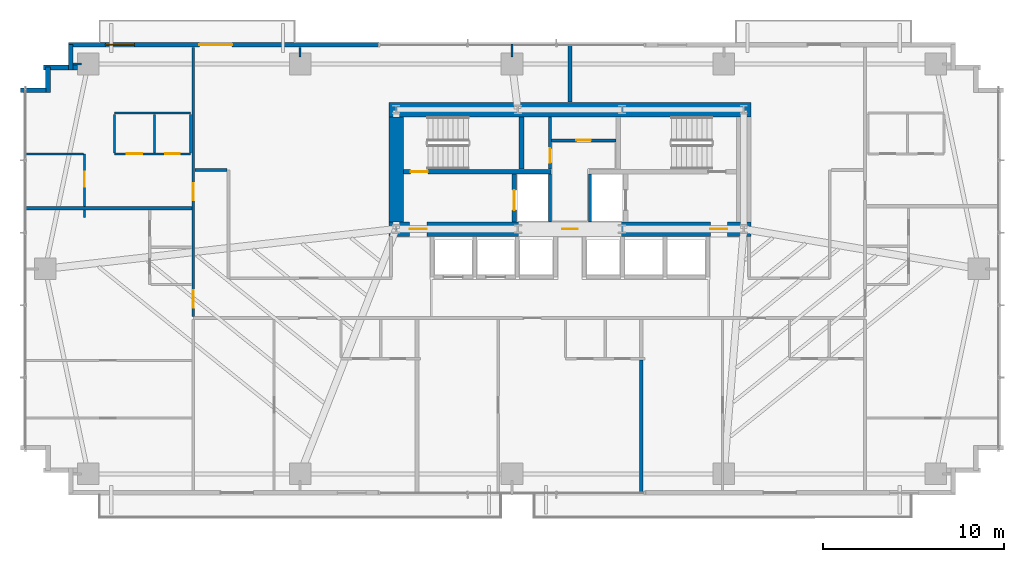
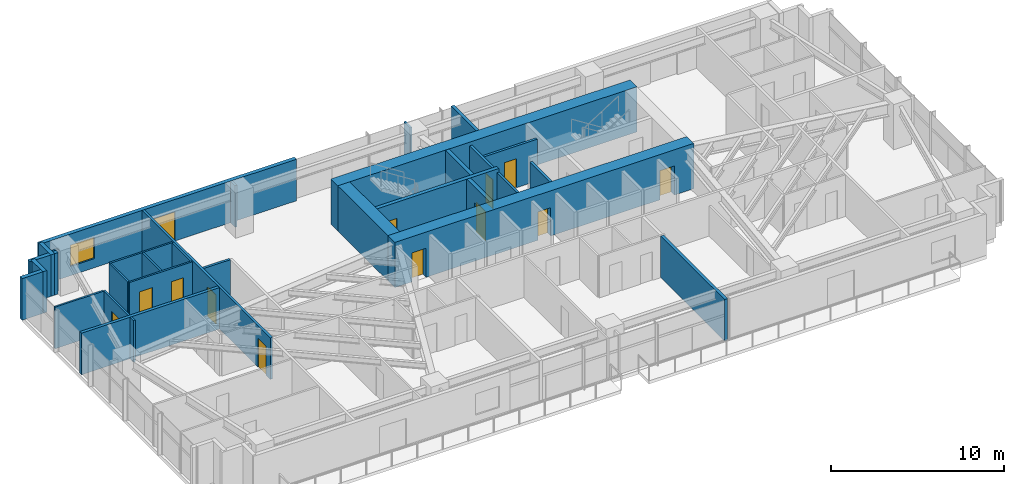
# One storey, part 20 of 25: 31 walls, 13 doors, 1 window, 14 openings.
"""IFC4 building model written with IfcOpenShell, lengths in metres."""

from ifc_helpers import new_model, si_unit, direction, frame, frame_2d, origin, place, context, subcontext, project, spatial, rectangle, extrude, source, transform, mapped, material, layer, layer_set, type_object, type_shapes, element, fill, save


model = new_model("IFC4")

# Units and contexts
model_context = context("Model", 3, precision=1e-05, world=origin(), true_north=direction((0.0, 1.0)))
body_context = subcontext(model_context, "Body", "Model", "MODEL_VIEW")
ifc_project = project(units=[si_unit("LENGTHUNIT", "METRE"), si_unit("AREAUNIT", "SQUARE_METRE"), si_unit("VOLUMEUNIT", "CUBIC_METRE"), si_unit("PLANEANGLEUNIT", "RADIAN"), si_unit("MASSUNIT", "GRAM", prefix="KILO")], contexts=[model_context])

# Site, building, storey
site_placement = place(None, origin())
site = spatial("IfcSite", under=ifc_project, at=site_placement, CompositionType="ELEMENT")
building_placement = place(site_placement, origin())
building = spatial("IfcBuilding", under=site, at=building_placement, Name="Astriad Promenade Condominiums", CompositionType="ELEMENT")
storey_placement = place(building_placement, frame((0.0, 0.0, 61.39990234375)))
storey = spatial("IfcBuildingStorey", under=building, at=storey_placement, Name="L17", CompositionType="ELEMENT", Elevation=61.39990234375)

# Wall, openings, doors
ifc_material_1 = material(Name="Concrete C80/95", Category="concrete")
ifc_layer_1 = layer(ifc_material_1, 0.800048828125)
ifc_layer_set_1 = layer_set([ifc_layer_1], Name="Concrete C80/95")
wall_type_1 = type_object("IfcWallType", Name="CW-SHEAR-800", PredefinedType="SHEAR", material=ifc_layer_set_1)
wall_1_placement = place(storey_placement, frame((26.0, 17.39990234375, 0.0), z_axis=(0.0, 0.0, 1.0), x_axis=(1.0, 0.0, 0.0)))
wall_1 = element("IfcWall", 1, at=wall_1_placement, inside=storey, type_object=wall_type_1, Name="CW-CORE-S-L17", PredefinedType="SHEAR", context=body_context, shape_type="SweptSolid", body=[
    extrude(rectangle(XDim=20.0, YDim=0.800048828125, at=frame_2d((10.0, 0.0))), origin(), (0.0, 0.0, 1.0), 3.2001953125),
])
opening_1_placement = place(wall_1_placement, frame((1.14990234375, 0.0, 0.0)))
opening_1 = element("IfcOpeningElement", 2, at=opening_1_placement, cuts=wall_1, Name="Opening FD90-ST-095", PredefinedType="OPENING", context=body_context, shape_type="SweptSolid", body=[
    extrude(rectangle(XDim=0.949951171875, YDim=2.06005859375, at=frame_2d((0.47509765625, 1.030029296875))), frame((0.0, 0.409912109375, 0.0), z_axis=(0.0, -1.0, 0.0), x_axis=(1.0, 0.0, 0.0)), (0.0, 0.0, 1.0), 0.820068359375),
])
opening_2_placement = place(wall_1_placement, frame((9.580078125, 0.0, 0.0)))
opening_2 = element("IfcOpeningElement", 3, at=opening_2_placement, cuts=wall_1, Name="Opening FD60-ULOW-085", PredefinedType="OPENING", context=body_context, shape_type="SweptSolid", body=[
    extrude(rectangle(XDim=0.85009765625, YDim=2.0, at=frame_2d((0.425048828125, 1.0))), frame((0.0, 0.409912109375, 0.0), z_axis=(0.0, -1.0, 0.0), x_axis=(1.0, 0.0, 0.0)), (0.0, 0.0, 1.0), 0.820068359375),
])
opening_3_placement = place(wall_1_placement, frame((17.75, 0.0, 0.0)))
opening_3 = element("IfcOpeningElement", 4, at=opening_3_placement, cuts=wall_1, Name="Opening FD90-ST-095", PredefinedType="OPENING", context=body_context, shape_type="SweptSolid", body=[
    extrude(rectangle(XDim=0.949951171875, YDim=2.06005859375, at=frame_2d((0.47509765625, 1.030029296875))), frame((0.0, 0.409912109375, 0.0), z_axis=(0.0, -1.0, 0.0), x_axis=(1.0, 0.0, 0.0)), (0.0, 0.0, 1.0), 0.820068359375),
])
ifc_material_2 = material(Name="Fire-Rated Hollow Metal Stair Door")
door_type_1 = type_object("IfcDoorType", Name="FD90-ST-095", OperationType="NOTDEFINED", PredefinedType="DOOR", material=ifc_material_2)
shared_shape_1 = source(origin(), body_context, "Body", "SweptSolid", [
    extrude(rectangle(XDim=0.949951171875, YDim=2.06005859375, at=frame_2d((0.47509765625, 1.030029296875))), frame((0.0, 0.02490234375, 0.0), z_axis=(0.0, -1.0, 0.0), x_axis=(1.0, 0.0, 0.0)), (0.0, 0.0, 1.0), 0.050048828125),
])
type_shapes(door_type_1, [shared_shape_1])
door_1_placement = place(opening_1_placement, origin())
door_1 = element("IfcDoor", 5, at=door_1_placement, inside=storey, type_object=door_type_1, Name="D-FFW-L17", OperationType="SINGLE_SWING_LEFT", OverallHeight=2.06005859375, OverallWidth=0.949951171875, PredefinedType="DOOR", context=body_context, shape_type="MappedRepresentation", body=[
    mapped(shared_shape_1, transform((0.0, 0.0, 0.0), scale=1.0)),
])
fill(opening_1, door_1)
door_2_placement = place(opening_3_placement, origin())
door_2 = element("IfcDoor", 6, at=door_2_placement, inside=storey, type_object=door_type_1, Name="D-FFE-L17", OperationType="SINGLE_SWING_RIGHT", OverallHeight=2.06005859375, OverallWidth=0.949951171875, PredefinedType="DOOR", context=body_context, shape_type="MappedRepresentation", body=[
    mapped(shared_shape_1, transform((0.0, 0.0, 0.0), scale=1.0)),
])
fill(opening_3, door_2)
ifc_material_3 = material(Name="Solid-Core Low-Headroom Fire Door")
door_type_2 = type_object("IfcDoorType", Name="FD60-ULOW-085", OperationType="NOTDEFINED", PredefinedType="DOOR", material=ifc_material_3)
shared_shape_2 = source(origin(), body_context, "Body", "SweptSolid", [
    extrude(rectangle(XDim=0.85009765625, YDim=2.0, at=frame_2d((0.425048828125, 1.0))), frame((0.0, 0.02490234375, 0.0), z_axis=(0.0, -1.0, 0.0), x_axis=(1.0, 0.0, 0.0)), (0.0, 0.0, 1.0), 0.050048828125),
])
type_shapes(door_type_2, [shared_shape_2])
door_3_placement = place(opening_2_placement, origin())
door_3 = element("IfcDoor", 7, at=door_3_placement, inside=storey, type_object=door_type_2, Name="D-CSL-L17", OperationType="SINGLE_SWING_RIGHT", OverallHeight=2.0, OverallWidth=0.85009765625, PredefinedType="DOOR", context=body_context, shape_type="MappedRepresentation", body=[
    mapped(shared_shape_2, transform((0.0, 0.0, 0.0), scale=1.0)),
])
fill(opening_2, door_3)

# Walls
wall_2_placement = place(storey_placement, frame((26.0, 24.0, 0.0), z_axis=(0.0, 0.0, 1.0), x_axis=(1.0, 0.0, 0.0)))
element("IfcWall", 8, at=wall_2_placement, inside=storey, type_object=wall_type_1, Name="CW-CORE-N-L17", PredefinedType="SHEAR", context=body_context, shape_type="SweptSolid", body=[
    extrude(rectangle(XDim=20.0, YDim=0.800048828125, at=frame_2d((10.0, 0.0))), origin(), (0.0, 0.0, 1.0), 3.2001953125),
])
wall_3_placement = place(storey_placement, frame((26.39990234375, 17.802001953125, 0.0), z_axis=(0.0, 0.0, 1.0), x_axis=(0.0, 1.0, 0.0)))
element("IfcWall", 9, at=wall_3_placement, inside=storey, type_object=wall_type_1, Name="CW-CORE-W-L17", PredefinedType="SHEAR", context=body_context, shape_type="SweptSolid", body=[
    extrude(rectangle(XDim=5.7958984375, YDim=0.800048828125, at=frame_2d((2.89794921875, 0.0))), origin(), (0.0, 0.0, 1.0), 3.2001953125),
])

# Wall, opening, door
ifc_material_4 = material(Name="Concrete C50/60", Category="concrete")
ifc_layer_2 = layer(ifc_material_4, 0.25)
ifc_layer_set_2 = layer_set([ifc_layer_2], Name="Concrete C50/60")
wall_type_2 = type_object("IfcWallType", Name="WALL-CORE-INT-250", PredefinedType="SOLIDWALL", material=ifc_layer_set_2)
wall_4_placement = place(storey_placement, frame((26.802001953125, 20.574951171875, 0.0), z_axis=(0.0, 0.0, 1.0), x_axis=(1.0, 0.0, 0.0)))
wall_4 = element("IfcWall", 10, at=wall_4_placement, inside=storey, type_object=wall_type_2, Name="CW-INT-H1-L17", PredefinedType="SOLIDWALL", context=body_context, shape_type="SweptSolid", body=[
    extrude(rectangle(XDim=8.14794921875, YDim=0.25, at=frame_2d((4.073974609375, 0.0))), origin(), (0.0, 0.0, 1.0), 3.2001953125),
])
opening_4_placement = place(wall_4_placement, frame((0.39794921875, 0.0, 0.0)))
opening_4 = element("IfcOpeningElement", 11, at=opening_4_placement, cuts=wall_4, Name="Opening FD90-ST-095", PredefinedType="OPENING", context=body_context, shape_type="SweptSolid", body=[
    extrude(rectangle(XDim=0.949951171875, YDim=2.06005859375, at=frame_2d((0.47509765625, 1.030029296875))), frame((0.0, 0.135009765625, 0.0), z_axis=(0.0, -1.0, 0.0), x_axis=(1.0, 0.0, 0.0)), (0.0, 0.0, 1.0), 0.27001953125),
])
door_4_placement = place(opening_4_placement, origin())
door_4 = element("IfcDoor", 12, at=door_4_placement, inside=storey, type_object=door_type_1, Name="D-ST1-L17", OperationType="SINGLE_SWING_RIGHT", OverallHeight=2.06005859375, OverallWidth=0.949951171875, PredefinedType="DOOR", context=body_context, shape_type="MappedRepresentation", body=[
    mapped(shared_shape_1, transform((0.0, 0.0, 0.0), scale=1.0)),
])
fill(opening_4, door_4)

# Wall
wall_5_placement = place(storey_placement, frame((33.324951171875, 20.701904296875, 0.0), z_axis=(0.0, 0.0, 1.0), x_axis=(0.0, 1.0, 0.0)))
element("IfcWall", 13, at=wall_5_placement, inside=storey, type_object=wall_type_2, Name="CW-ST1-E-L17", PredefinedType="SOLIDWALL", context=body_context, shape_type="SweptSolid", body=[
    extrude(rectangle(XDim=2.89599609375, YDim=0.25, at=frame_2d((1.447998046875, 0.0))), origin(), (0.0, 0.0, 1.0), 3.2001953125),
])

# Wall, opening, door
wall_6_placement = place(storey_placement, frame((32.925048828125, 17.802001953125, 0.0), z_axis=(0.0, 0.0, 1.0), x_axis=(0.0, 1.0, 0.0)))
wall_6 = element("IfcWall", 14, at=wall_6_placement, inside=storey, type_object=wall_type_2, Name="CW-FFL1-W-L17", PredefinedType="SOLIDWALL", context=body_context, shape_type="SweptSolid", body=[
    extrude(rectangle(XDim=2.64599609375, YDim=0.25, at=frame_2d((1.322998046875, 0.0))), origin(), (0.0, 0.0, 1.0), 3.2001953125),
])
opening_5_placement = place(wall_6_placement, frame((0.64794921875, 0.0, 0.0)))
opening_5 = element("IfcOpeningElement", 15, at=opening_5_placement, cuts=wall_6, Name="Opening LD-FFL-1122", PredefinedType="OPENING", context=body_context, shape_type="SweptSolid", body=[
    extrude(rectangle(XDim=1.10009765625, YDim=2.080078125, at=frame_2d((0.550048828125, 1.0400390625))), frame((0.0, 0.135009765625, 0.0), z_axis=(0.0, -1.0, 0.0), x_axis=(1.0, 0.0, 0.0)), (0.0, 0.0, 1.0), 0.27001953125),
])
ifc_material_5 = material(Name="Brushed Stainless Steel Fire Elevator Landing Door", Category="steel")
door_type_3 = type_object("IfcDoorType", Name="LD-FFL-1122", OperationType="NOTDEFINED", PredefinedType="DOOR", material=ifc_material_5)
shared_shape_3 = source(origin(), body_context, "Body", "SweptSolid", [
    extrude(rectangle(XDim=1.10009765625, YDim=2.080078125, at=frame_2d((0.550048828125, 1.0400390625))), frame((0.0, 0.02490234375, 0.0), z_axis=(0.0, -1.0, 0.0), x_axis=(1.0, 0.0, 0.0)), (0.0, 0.0, 1.0), 0.050048828125),
])
type_shapes(door_type_3, [shared_shape_3])
door_5_placement = place(opening_5_placement, origin())
door_5 = element("IfcDoor", 16, at=door_5_placement, inside=storey, type_object=door_type_3, Name="Elevator Landing Door FFL-1 (L17)", OperationType="SLIDING_TO_LEFT", OverallHeight=2.080078125, OverallWidth=1.10009765625, PredefinedType="DOOR", context=body_context, shape_type="MappedRepresentation", body=[
    mapped(shared_shape_3, transform((0.0, 0.0, 0.0), scale=1.0)),
])
fill(opening_5, door_5)

# Walls
ifc_material_6 = material(Name="Fire-Rated Gypsum Partition")
ifc_layer_3 = layer(ifc_material_6, 0.159912109375)
ifc_layer_set_3 = layer_set([ifc_layer_3], Name="Fire-Rated Gypsum Partition")
wall_type_3 = type_object("IfcWallType", Name="WALL-CORR-160", PredefinedType="PARTITIONING", material=ifc_layer_set_3)
for number, where, z_axis, x_axis, name in (
    (17, (34.89990234375, 17.802001953125, 0.0), (0.0, 0.0, 1.0), (0.0, 1.0, 0.0), "CW-FFL1-E-L17"),
    (18, (37.10009765625, 17.802001953125, 0.0), (0.0, 0.0, 1.0), (0.0, 1.0, 0.0), "CW-FFL2-W-L17"),
):
    element("IfcWall", number, at=place(storey_placement, frame(where, z_axis=z_axis, x_axis=x_axis)), inside=storey, type_object=wall_type_3, Name=name, PredefinedType="PARTITIONING", context=body_context, shape_type="SweptSolid", body=[
        extrude(rectangle(XDim=2.64599609375, YDim=0.159912109375, at=frame_2d((1.322998046875, 0.0))), origin(), (0.0, 0.0, 1.0), 2.940185546875),
    ])

# Wall, opening, door
wall_7_placement = place(storey_placement, frame((34.89990234375, 20.701904296875, 0.0), z_axis=(0.0, 0.0, 1.0), x_axis=(0.0, 1.0, 0.0)))
wall_7 = element("IfcWall", 19, at=wall_7_placement, inside=storey, type_object=wall_type_3, Name="CW-AUX-W-L17", PredefinedType="PARTITIONING", context=body_context, shape_type="SweptSolid", body=[
    extrude(rectangle(XDim=2.89599609375, YDim=0.159912109375, at=frame_2d((1.447998046875, 0.0))), origin(), (0.0, 0.0, 1.0), 2.940185546875),
])
opening_6_placement = place(wall_7_placement, frame((0.347900390625, 0.0, 0.0)))
opening_6 = element("IfcOpeningElement", 20, at=opening_6_placement, cuts=wall_7, Name="Opening FD60-SV-080", PredefinedType="OPENING", context=body_context, shape_type="SweptSolid", body=[
    extrude(rectangle(XDim=0.800048828125, YDim=2.050048828125, at=frame_2d((0.39990234375, 1.02490234375))), frame((0.0, 0.08984375, 0.0), z_axis=(0.0, -1.0, 0.0), x_axis=(1.0, 0.0, 0.0)), (0.0, 0.0, 1.0), 0.179931640625),
])
ifc_material_7 = material(Name="Fire-Rated Riser Closet Door")
door_type_4 = type_object("IfcDoorType", Name="FD60-SV-080", OperationType="NOTDEFINED", PredefinedType="DOOR", material=ifc_material_7)
shared_shape_4 = source(origin(), body_context, "Body", "SweptSolid", [
    extrude(rectangle(XDim=0.800048828125, YDim=2.050048828125, at=frame_2d((0.39990234375, 1.02490234375))), frame((0.0, 0.02490234375, 0.0), z_axis=(0.0, -1.0, 0.0), x_axis=(1.0, 0.0, 0.0)), (0.0, 0.0, 1.0), 0.050048828125),
])
type_shapes(door_type_4, [shared_shape_4])
door_6_placement = place(opening_6_placement, origin())
door_6 = element("IfcDoor", 21, at=door_6_placement, inside=storey, type_object=door_type_4, Name="D-AUX1-L17", OperationType="SINGLE_SWING_RIGHT", OverallHeight=2.050048828125, OverallWidth=0.800048828125, PredefinedType="DOOR", context=body_context, shape_type="MappedRepresentation", body=[
    mapped(shared_shape_4, transform((0.0, 0.0, 0.0), scale=1.0)),
])
fill(opening_6, door_6)

wall_8_placement = place(storey_placement, frame((34.98193359375, 22.300048828125, 0.0), z_axis=(0.0, 0.0, 1.0), x_axis=(1.0, 0.0, 0.0)))
wall_8 = element("IfcWall", 22, at=wall_8_placement, inside=storey, type_object=wall_type_3, Name="CW-AUX-N-L17", PredefinedType="PARTITIONING", context=body_context, shape_type="SweptSolid", body=[
    extrude(rectangle(XDim=3.566162109375, YDim=0.159912109375, at=frame_2d((1.783203125, 0.0))), origin(), (0.0, 0.0, 1.0), 2.940185546875),
])
opening_7_placement = place(wall_8_placement, frame((1.3779296875, 0.0, 0.0)))
opening_7 = element("IfcOpeningElement", 23, at=opening_7_placement, cuts=wall_8, Name="Opening FD60-SV-080", PredefinedType="OPENING", context=body_context, shape_type="SweptSolid", body=[
    extrude(rectangle(XDim=0.800048828125, YDim=2.050048828125, at=frame_2d((0.39990234375, 1.02490234375))), frame((0.0, 0.08984375, 0.0), z_axis=(0.0, -1.0, 0.0), x_axis=(1.0, 0.0, 0.0)), (0.0, 0.0, 1.0), 0.179931640625),
])
door_7_placement = place(opening_7_placement, origin())
door_7 = element("IfcDoor", 24, at=door_7_placement, inside=storey, type_object=door_type_4, Name="D-AUX2-L17", OperationType="SINGLE_SWING_LEFT", OverallHeight=2.050048828125, OverallWidth=0.800048828125, PredefinedType="DOOR", context=body_context, shape_type="MappedRepresentation", body=[
    mapped(shared_shape_4, transform((0.0, 0.0, 0.0), scale=1.0)),
])
fill(opening_7, door_7)

# Wall, openings, doors
wall_9_placement = place(storey_placement, frame((15.199951171875, 12.572021484375, 0.0), z_axis=(0.0, 0.0, 1.0), x_axis=(0.0, 1.0, 0.0)))
wall_9 = element("IfcWall", 25, at=wall_9_placement, inside=storey, type_object=wall_type_3, Name="PT-COR-W-L17-S2", PredefinedType="PARTITIONING", context=body_context, shape_type="SweptSolid", body=[
    extrude(rectangle(XDim=14.865966796875, YDim=0.159912109375, at=frame_2d((7.43310546875, 0.0))), origin(), (0.0, 0.0, 1.0), 2.940185546875),
])
opening_8_placement = place(wall_9_placement, frame((0.492919921875, 0.0, 0.0)))
opening_8 = element("IfcOpeningElement", 26, at=opening_8_placement, cuts=wall_9, Name="Opening FD60-APT-095", PredefinedType="OPENING", context=body_context, shape_type="SweptSolid", body=[
    extrude(rectangle(XDim=0.949951171875, YDim=2.06005859375, at=frame_2d((0.47509765625, 1.030029296875))), frame((0.0, 0.08984375, 0.0), z_axis=(0.0, -1.0, 0.0), x_axis=(1.0, 0.0, 0.0)), (0.0, 0.0, 1.0), 0.179931640625),
])
opening_9_placement = place(wall_9_placement, frame((6.4130859375, 0.0, 0.0)))
opening_9 = element("IfcOpeningElement", 27, at=opening_9_placement, cuts=wall_9, Name="Opening FD60-APT-095", PredefinedType="OPENING", context=body_context, shape_type="SweptSolid", body=[
    extrude(rectangle(XDim=0.949951171875, YDim=2.06005859375, at=frame_2d((0.47509765625, 1.030029296875))), frame((0.0, 0.08984375, 0.0), z_axis=(0.0, -1.0, 0.0), x_axis=(1.0, 0.0, 0.0)), (0.0, 0.0, 1.0), 0.179931640625),
])
ifc_material_8 = material(Name="Solid-Core Acoustic Timber Residence Entry Door", Category="wood")
door_type_5 = type_object("IfcDoorType", Name="FD60-APT-095", OperationType="NOTDEFINED", PredefinedType="DOOR", material=ifc_material_8)
shared_shape_5 = source(origin(), body_context, "Body", "SweptSolid", [
    extrude(rectangle(XDim=0.949951171875, YDim=2.06005859375, at=frame_2d((0.47509765625, 1.030029296875))), frame((0.0, 0.02490234375, 0.0), z_axis=(0.0, -1.0, 0.0), x_axis=(1.0, 0.0, 0.0)), (0.0, 0.0, 1.0), 0.050048828125),
])
type_shapes(door_type_5, [shared_shape_5])
door_8_placement = place(opening_8_placement, origin())
door_8 = element("IfcDoor", 28, at=door_8_placement, inside=storey, type_object=door_type_5, Name="D-ENT-L17-W1", OperationType="SINGLE_SWING_RIGHT", OverallHeight=2.06005859375, OverallWidth=0.949951171875, PredefinedType="DOOR", context=body_context, shape_type="MappedRepresentation", body=[
    mapped(shared_shape_5, transform((0.0, 0.0, 0.0), scale=1.0)),
])
fill(opening_8, door_8)
door_9_placement = place(opening_9_placement, origin())
door_9 = element("IfcDoor", 29, at=door_9_placement, inside=storey, type_object=door_type_5, Name="D-ENT-L17-W2", OperationType="SINGLE_SWING_LEFT", OverallHeight=2.06005859375, OverallWidth=0.949951171875, PredefinedType="DOOR", context=body_context, shape_type="MappedRepresentation", body=[
    mapped(shared_shape_5, transform((0.0, 0.0, 0.0), scale=1.0)),
])
fill(opening_9, door_9)

# Walls
wall_10_placement = place(storey_placement, frame((15.281982421875, 20.64990234375, 0.0), z_axis=(0.0, 0.0, 1.0), x_axis=(1.0, 0.0, 0.0)))
element("IfcWall", 30, at=wall_10_placement, inside=storey, type_object=wall_type_3, Name="PT-WALC-N-L17", PredefinedType="PARTITIONING", context=body_context, shape_type="SweptSolid", body=[
    extrude(rectangle(XDim=1.7861328125, YDim=0.159912109375, at=frame_2d((0.89306640625, 0.0))), origin(), (0.0, 0.0, 1.0), 2.940185546875),
])
ifc_material_9 = material(Name="Acoustic Double-Stud Gypsum Partition")
ifc_layer_4 = layer(ifc_material_9, 0.199951171875)
ifc_layer_set_4 = layer_set([ifc_layer_4], Name="Acoustic Double-Stud Gypsum Partition")
wall_type_4 = type_object("IfcWallType", Name="WALL-DEMISING-200", PredefinedType="PARTITIONING", material=ifc_layer_set_4)
wall_11_placement = place(storey_placement, frame((36.0, 24.402099609375, 0.0), z_axis=(0.0, 0.0, 1.0), x_axis=(0.0, 1.0, 0.0)))
element("IfcWall", 31, at=wall_11_placement, inside=storey, type_object=wall_type_4, Name="PT-NC-MID-L17", PredefinedType="PARTITIONING", context=body_context, shape_type="SweptSolid", body=[
    extrude(rectangle(XDim=3.218017578125, YDim=0.199951171875, at=frame_2d((1.60888671875, 0.0))), origin(), (0.0, 0.0, 1.0), 2.940185546875),
])
wall_12_placement = place(storey_placement, frame((39.946044921875, 2.780029296875, 0.0), z_axis=(0.0, 0.0, 1.0), x_axis=(0.0, 1.0, 0.0)))
element("IfcWall", 32, at=wall_12_placement, inside=storey, type_object=wall_type_4, Name="PT-DEM-S2-L17", PredefinedType="PARTITIONING", context=body_context, shape_type="SweptSolid", body=[
    extrude(rectangle(XDim=7.39794921875, YDim=0.199951171875, at=frame_2d((3.698974609375, 0.0))), origin(), (0.0, 0.0, 1.0), 2.940185546875),
])
wall_13_placement = place(storey_placement, frame((5.8798828125, 18.550048828125, 0.0), z_axis=(0.0, 0.0, 1.0), x_axis=(1.0, 0.0, 0.0)))
element("IfcWall", 33, at=wall_13_placement, inside=storey, type_object=wall_type_4, Name="PT-DEM-WW-L17", PredefinedType="PARTITIONING", context=body_context, shape_type="SweptSolid", body=[
    extrude(rectangle(XDim=9.238037109375, YDim=0.199951171875, at=frame_2d((4.619140625, 0.0))), origin(), (0.0, 0.0, 1.0), 2.940185546875),
])
ifc_material_10 = material(Name="Precast concrete C50/60", Category="concrete")
ifc_layer_5 = layer(ifc_material_10, 0.260009765625)
ifc_layer_set_5 = layer_set([ifc_layer_5], Name="Precast concrete C50/60")
wall_type_5 = type_object("IfcWallType", Name="WALL-EXT-TWR-260", PredefinedType="STANDARD", material=ifc_layer_set_5)
for number, where, z_axis, x_axis, name in (
    (34, (5.669921875, 25.070068359375, 0.0), (0.0, 0.0, 1.0), (1.0, 0.0, 0.0), "W-SER-L17-04"),
    (35, (7.179931640625, 24.93994140625, 0.0), (0.0, 0.0, 1.0), (0.0, 1.0, 0.0), "W-SER-L17-05"),
):
    element("IfcWall", number, at=place(storey_placement, frame(where, z_axis=z_axis, x_axis=x_axis)), inside=storey, type_object=wall_type_5, Name=name, PredefinedType="STANDARD", context=body_context, shape_type="SweptSolid", body=[
        extrude(rectangle(XDim=1.39501953125, YDim=0.260009765625, at=frame_2d((0.697509765625, 0.0))), origin(), (0.0, 0.0, 1.0), 2.940185546875),
    ])
wall_14_placement = place(storey_placement, frame((6.919921875, 26.320068359375, 0.0), z_axis=(0.0, 0.0, 1.0), x_axis=(1.0, 0.0, 0.0)))
element("IfcWall", 36, at=wall_14_placement, inside=storey, type_object=wall_type_5, Name="W-SER-L17-06", PredefinedType="STANDARD", context=body_context, shape_type="SweptSolid", body=[
    extrude(rectangle(XDim=1.878173828125, YDim=0.260009765625, at=frame_2d((0.93896484375, 0.0))), origin(), (0.0, 0.0, 1.0), 2.940185546875),
])
wall_15_placement = place(storey_placement, frame((8.429931640625, 26.18994140625, 0.0), z_axis=(0.0, 0.0, 1.0), x_axis=(0.0, 1.0, 0.0)))
element("IfcWall", 37, at=wall_15_placement, inside=storey, type_object=wall_type_5, Name="W-SER-L17-07", PredefinedType="STANDARD", context=body_context, shape_type="SweptSolid", body=[
    extrude(rectangle(XDim=1.39501953125, YDim=0.260009765625, at=frame_2d((0.697509765625, 0.0))), origin(), (0.0, 0.0, 1.0), 2.940185546875),
])

# Wall, openings, door, window
wall_16_placement = place(storey_placement, frame((8.300048828125, 27.570068359375, 0.0), z_axis=(0.0, 0.0, 1.0), x_axis=(1.0, 0.0, 0.0)))
wall_16 = element("IfcWall", 38, at=wall_16_placement, inside=storey, type_object=wall_type_5, Name="W-EXT-L17-N1", PredefinedType="STANDARD", context=body_context, shape_type="SweptSolid", body=[
    extrude(rectangle(XDim=17.14990234375, YDim=0.260009765625, at=frame_2d((8.574951171875, 0.0))), origin(), (0.0, 0.0, 1.0), 2.940185546875),
])
opening_10_placement = place(wall_16_placement, frame((7.241943359375, 0.0, 0.0)))
opening_10 = element("IfcOpeningElement", 39, at=opening_10_placement, cuts=wall_16, Name="Opening BD-1822-SLD", PredefinedType="OPENING", context=body_context, shape_type="SweptSolid", body=[
    extrude(rectangle(XDim=1.800048828125, YDim=2.06005859375, at=frame_2d((0.89990234375, 1.030029296875))), frame((0.0, 0.139892578125, 0.0), z_axis=(0.0, -1.0, 0.0), x_axis=(1.0, 0.0, 0.0)), (0.0, 0.0, 1.0), 0.280029296875),
])
opening_11_placement = place(wall_16_placement, frame((2.050048828125, 0.0, 0.64990234375)))
opening_11 = element("IfcOpeningElement", 40, at=opening_11_placement, cuts=wall_16, Name="Opening WIN-TWR-1620", PredefinedType="OPENING", context=body_context, shape_type="SweptSolid", body=[
    extrude(rectangle(XDim=1.60009765625, YDim=1.5, at=frame_2d((0.800048828125, 0.75))), frame((0.0, 0.139892578125, 0.0), z_axis=(0.0, -1.0, 0.0), x_axis=(1.0, 0.0, 0.0)), (0.0, 0.0, 1.0), 0.280029296875),
])
ifc_material_11 = material(Name="Thermally Broken Aluminium Sliding Balcony Door", Category="aluminium")
door_type_6 = type_object("IfcDoorType", Name="BD-1822-SLD", OperationType="NOTDEFINED", PredefinedType="DOOR", material=ifc_material_11)
shared_shape_6 = source(origin(), body_context, "Body", "SweptSolid", [
    extrude(rectangle(XDim=1.800048828125, YDim=2.06005859375, at=frame_2d((0.89990234375, 1.030029296875))), frame((0.0, 0.02490234375, 0.0), z_axis=(0.0, -1.0, 0.0), x_axis=(1.0, 0.0, 0.0)), (0.0, 0.0, 1.0), 0.050048828125),
])
type_shapes(door_type_6, [shared_shape_6])
door_10_placement = place(opening_10_placement, origin())
door_10 = element("IfcDoor", 41, at=door_10_placement, inside=storey, type_object=door_type_6, Name="BD-L17-NW", OperationType="SLIDING_TO_LEFT", OverallHeight=2.06005859375, OverallWidth=1.800048828125, PredefinedType="DOOR", context=body_context, shape_type="MappedRepresentation", body=[
    mapped(shared_shape_6, transform((0.0, 0.0, 0.0), scale=1.0)),
])
fill(opening_10, door_10)
ifc_material_12 = material(Name="Dark Tinted Triple-Glazed Aluminium Window", Category="aluminium")
window_type = type_object("IfcWindowType", Name="WIN-TWR-1620", PartitioningType="SINGLE_PANEL", PredefinedType="WINDOW", material=ifc_material_12)
shared_shape_7 = source(origin(), body_context, "Body", "SweptSolid", [
    extrude(rectangle(XDim=1.60009765625, YDim=1.5, at=frame_2d((0.800048828125, 0.75))), frame((0.0, 0.030029296875, 0.0), z_axis=(0.0, -1.0, 0.0), x_axis=(1.0, 0.0, 0.0)), (0.0, 0.0, 1.0), 0.06005859375),
])
type_shapes(window_type, [shared_shape_7])
window_placement = place(opening_11_placement, origin())
window = element("IfcWindow", 42, at=window_placement, inside=storey, type_object=window_type, Name="WIN-L17-NW", OverallHeight=1.5, OverallWidth=1.60009765625, PartitioningType="SINGLE_PANEL", PredefinedType="WINDOW", context=body_context, shape_type="MappedRepresentation", body=[
    mapped(shared_shape_7, transform((0.0, 0.0, 0.0), scale=1.0)),
])
fill(opening_11, window)

# Wall, openings, doors
ifc_material_13 = material(Name="Acoustic Metal-Stud Gypsum Partition")
ifc_layer_6 = layer(ifc_material_13, 0.1201171875)
ifc_layer_set_6 = layer_set([ifc_layer_6], Name="Acoustic Metal-Stud Gypsum Partition")
wall_type_6 = type_object("IfcWallType", Name="WALL-PART-120", PredefinedType="PARTITIONING", material=ifc_layer_set_6)
wall_17_placement = place(storey_placement, frame((10.85009765625, 21.550048828125, 0.0), z_axis=(0.0, 0.0, 1.0), x_axis=(1.0, 0.0, 0.0)))
wall_17 = element("IfcWall", 43, at=wall_17_placement, inside=storey, type_object=wall_type_6, Name="PT-L17-W2-PH", PredefinedType="PARTITIONING", context=body_context, shape_type="SweptSolid", body=[
    extrude(rectangle(XDim=4.199951171875, YDim=0.1201171875, at=frame_2d((2.10009765625, 0.0))), origin(), (0.0, 0.0, 1.0), 2.940185546875),
])
opening_12_placement = place(wall_17_placement, frame((0.675048828125, 0.0, 0.0)))
opening_12 = element("IfcOpeningElement", 44, at=opening_12_placement, cuts=wall_17, Name="Opening D-INT-085", PredefinedType="OPENING", context=body_context, shape_type="SweptSolid", body=[
    extrude(rectangle(XDim=0.85009765625, YDim=2.050048828125, at=frame_2d((0.425048828125, 1.02490234375))), frame((0.0, 0.070068359375, 0.0), z_axis=(0.0, -1.0, 0.0), x_axis=(1.0, 0.0, 0.0)), (0.0, 0.0, 1.0), 0.14013671875),
])
opening_13_placement = place(wall_17_placement, frame((2.800048828125, 0.0, 0.0)))
opening_13 = element("IfcOpeningElement", 45, at=opening_13_placement, cuts=wall_17, Name="Opening D-WET-080", PredefinedType="OPENING", context=body_context, shape_type="SweptSolid", body=[
    extrude(rectangle(XDim=0.800048828125, YDim=2.02001953125, at=frame_2d((0.39990234375, 1.010009765625))), frame((0.0, 0.070068359375, 0.0), z_axis=(0.0, -1.0, 0.0), x_axis=(1.0, 0.0, 0.0)), (0.0, 0.0, 1.0), 0.14013671875),
])
ifc_material_14 = material(Name="Moisture-Resistant Timber Bathroom Door", Category="wood")
door_type_7 = type_object("IfcDoorType", Name="D-WET-080", OperationType="NOTDEFINED", PredefinedType="DOOR", material=ifc_material_14)
shared_shape_8 = source(origin(), body_context, "Body", "SweptSolid", [
    extrude(rectangle(XDim=0.800048828125, YDim=2.02001953125, at=frame_2d((0.39990234375, 1.010009765625))), frame((0.0, 0.02490234375, 0.0), z_axis=(0.0, -1.0, 0.0), x_axis=(1.0, 0.0, 0.0)), (0.0, 0.0, 1.0), 0.050048828125),
])
type_shapes(door_type_7, [shared_shape_8])
door_11_placement = place(opening_13_placement, origin())
door_11 = element("IfcDoor", 46, at=door_11_placement, inside=storey, type_object=door_type_7, Name="D-BTH-L17-W2", OperationType="SINGLE_SWING_RIGHT", OverallHeight=2.02001953125, OverallWidth=0.800048828125, PredefinedType="DOOR", context=body_context, shape_type="MappedRepresentation", body=[
    mapped(shared_shape_8, transform((0.0, 0.0, 0.0), scale=1.0)),
])
fill(opening_13, door_11)
ifc_material_15 = material(Name="Painted Solid-Core Timber Room Door", Category="wood")
door_type_8 = type_object("IfcDoorType", Name="D-INT-085", OperationType="NOTDEFINED", PredefinedType="DOOR", material=ifc_material_15)
shared_shape_9 = source(origin(), body_context, "Body", "SweptSolid", [
    extrude(rectangle(XDim=0.85009765625, YDim=2.050048828125, at=frame_2d((0.425048828125, 1.02490234375))), frame((0.0, 0.02490234375, 0.0), z_axis=(0.0, -1.0, 0.0), x_axis=(1.0, 0.0, 0.0)), (0.0, 0.0, 1.0), 0.050048828125),
])
type_shapes(door_type_8, [shared_shape_9])
door_12_placement = place(opening_12_placement, origin())
door_12 = element("IfcDoor", 47, at=door_12_placement, inside=storey, type_object=door_type_8, Name="D-KIT-L17-W2", OperationType="SINGLE_SWING_LEFT", OverallHeight=2.050048828125, OverallWidth=0.85009765625, PredefinedType="DOOR", context=body_context, shape_type="MappedRepresentation", body=[
    mapped(shared_shape_9, transform((0.0, 0.0, 0.0), scale=1.0)),
])
fill(opening_12, door_12)

# Walls
wall_18_placement = place(storey_placement, frame((10.85009765625, 23.800048828125, 0.0), z_axis=(0.0, 0.0, 1.0), x_axis=(1.0, 0.0, 0.0)))
element("IfcWall", 48, at=wall_18_placement, inside=storey, type_object=wall_type_6, Name="PT-L17-W2-PHN", PredefinedType="PARTITIONING", context=body_context, shape_type="SweptSolid", body=[
    extrude(rectangle(XDim=4.199951171875, YDim=0.1201171875, at=frame_2d((2.10009765625, 0.0))), origin(), (0.0, 0.0, 1.0), 2.940185546875),
])
for number, where, z_axis, x_axis, name in (
    (49, (10.85009765625, 21.612060546875, 0.0), (0.0, 0.0, 1.0), (0.0, 1.0, 0.0), "PT-L17-W2-PK1"),
    (50, (13.050048828125, 21.612060546875, 0.0), (0.0, 0.0, 1.0), (0.0, 1.0, 0.0), "PT-L17-W2-PK2"),
    (51, (15.050048828125, 21.612060546875, 0.0), (0.0, 0.0, 1.0), (0.0, 1.0, 0.0), "PT-L17-W2-PK3"),
):
    element("IfcWall", number, at=place(storey_placement, frame(where, z_axis=z_axis, x_axis=x_axis)), inside=storey, type_object=wall_type_6, Name=name, PredefinedType="PARTITIONING", context=body_context, shape_type="SweptSolid", body=[
        extrude(rectangle(XDim=2.1259765625, YDim=0.1201171875, at=frame_2d((1.06298828125, 0.0))), origin(), (0.0, 0.0, 1.0), 2.940185546875),
    ])
wall_19_placement = place(storey_placement, frame((9.194091796875, 18.050048828125, 0.0), z_axis=(0.0, 0.0, 1.0), x_axis=(0.0, 1.0, 0.0)))
element("IfcWall", 52, at=wall_19_placement, inside=storey, type_object=wall_type_6, Name="PT-L17-W2-CAP1", PredefinedType="PARTITIONING", context=body_context, shape_type="SweptSolid", body=[
    extrude(rectangle(XDim=0.39794921875, YDim=0.1201171875, at=frame_2d((0.198974609375, 0.0))), origin(), (0.0, 0.0, 1.0), 2.940185546875),
])

# Wall, opening, door
wall_20_placement = place(storey_placement, frame((9.194091796875, 18.652099609375, 0.0), z_axis=(0.0, 0.0, 1.0), x_axis=(0.0, 1.0, 0.0)))
wall_20 = element("IfcWall", 53, at=wall_20_placement, inside=storey, type_object=wall_type_6, Name="PT-L17-W2-CAP1-S2", PredefinedType="PARTITIONING", context=body_context, shape_type="SweptSolid", body=[
    extrude(rectangle(XDim=2.89794921875, YDim=0.1201171875, at=frame_2d((1.448974609375, 0.0))), origin(), (0.0, 0.0, 1.0), 2.940185546875),
])
opening_14_placement = place(wall_20_placement, frame((1.072998046875, 0.0, 0.0)))
opening_14 = element("IfcOpeningElement", 54, at=opening_14_placement, cuts=wall_20, Name="Opening D-INT-085", PredefinedType="OPENING", context=body_context, shape_type="SweptSolid", body=[
    extrude(rectangle(XDim=0.85009765625, YDim=2.050048828125, at=frame_2d((0.425048828125, 1.02490234375))), frame((0.0, 0.070068359375, 0.0), z_axis=(0.0, -1.0, 0.0), x_axis=(1.0, 0.0, 0.0)), (0.0, 0.0, 1.0), 0.14013671875),
])
door_13_placement = place(opening_14_placement, origin())
door_13 = element("IfcDoor", 55, at=door_13_placement, inside=storey, type_object=door_type_8, Name="D-CAP1-L17-W2", OperationType="SINGLE_SWING_RIGHT", OverallHeight=2.050048828125, OverallWidth=0.85009765625, PredefinedType="DOOR", context=body_context, shape_type="MappedRepresentation", body=[
    mapped(shared_shape_9, transform((0.0, 0.0, 0.0), scale=1.0)),
])
fill(opening_14, door_13)

# Walls
wall_21_placement = place(storey_placement, frame((5.8798828125, 21.550048828125, 0.0), z_axis=(0.0, 0.0, 1.0), x_axis=(1.0, 0.0, 0.0)))
element("IfcWall", 56, at=wall_21_placement, inside=storey, type_object=wall_type_6, Name="PT-L17-W2-CAP1H", PredefinedType="PARTITIONING", context=body_context, shape_type="SweptSolid", body=[
    extrude(rectangle(XDim=3.252197265625, YDim=0.1201171875, at=frame_2d((1.6259765625, 0.0))), origin(), (0.0, 0.0, 1.0), 2.940185546875),
])
wall_22_placement = place(storey_placement, frame((9.02001953125, 26.52001953125, 0.0), z_axis=(0.0, 0.0, 1.0), x_axis=(-1.0, 0.0, 0.0)))
element("IfcWall", 57, at=wall_22_placement, inside=storey, type_object=wall_type_6, Name="PT-PIL-L17-PC06-13", PredefinedType="PARTITIONING", context=body_context, shape_type="SweptSolid", body=[
    extrude(rectangle(XDim=0.4580078125, YDim=0.1201171875, at=frame_2d((0.22900390625, 0.0))), origin(), (0.0, 0.0, 1.0), 2.940185546875),
])
wall_23_placement = place(storey_placement, frame((21.10009765625, 26.89990234375, 0.0), z_axis=(0.0, 0.0, 1.0), x_axis=(0.0, 1.0, 0.0)))
element("IfcWall", 58, at=wall_23_placement, inside=storey, type_object=wall_type_6, Name="PT-PIL-L17-PC07-14", PredefinedType="PARTITIONING", context=body_context, shape_type="SweptSolid", body=[
    extrude(rectangle(XDim=0.5380859375, YDim=0.1201171875, at=frame_2d((0.26904296875, 0.0))), origin(), (0.0, 0.0, 1.0), 2.940185546875),
])
wall_24_placement = place(storey_placement, frame((32.800048828125, 26.89990234375, 0.0), z_axis=(0.0, 0.0, 1.0), x_axis=(0.0, 1.0, 0.0)))
element("IfcWall", 59, at=wall_24_placement, inside=storey, type_object=wall_type_6, Name="PT-PIL-L17-PC08-15", PredefinedType="PARTITIONING", context=body_context, shape_type="SweptSolid", body=[
    extrude(rectangle(XDim=0.72021484375, YDim=0.1201171875, at=frame_2d((0.360107421875, 0.0))), origin(), (0.0, 0.0, 1.0), 2.940185546875),
])

save(model, "model.ifc")
